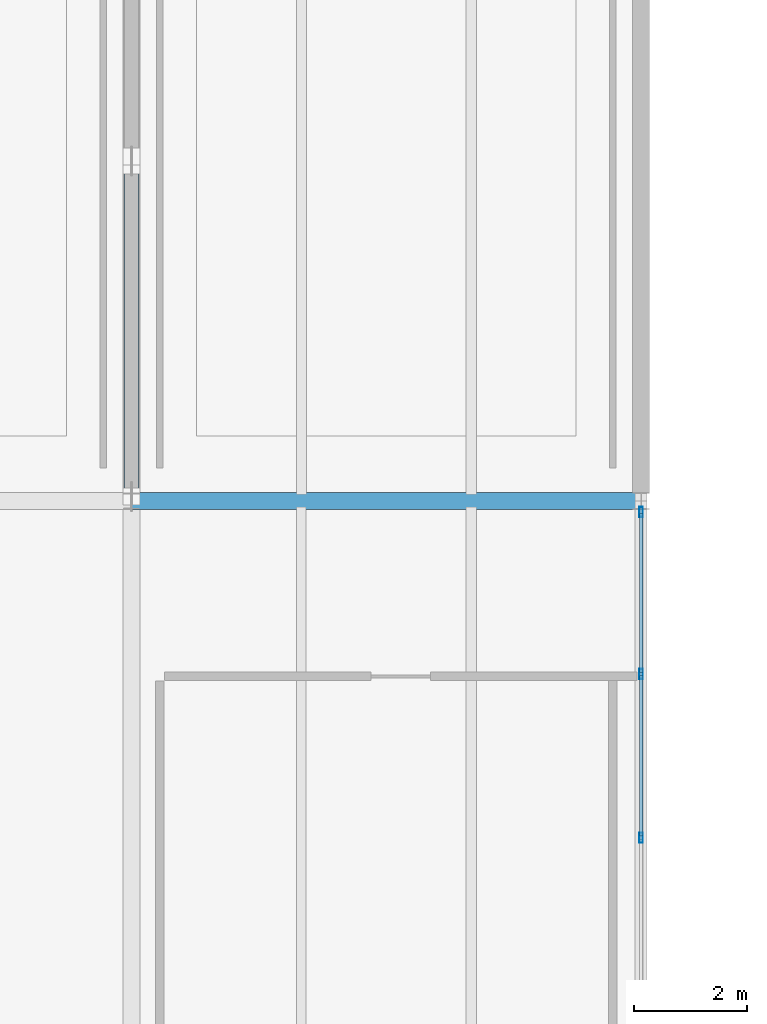
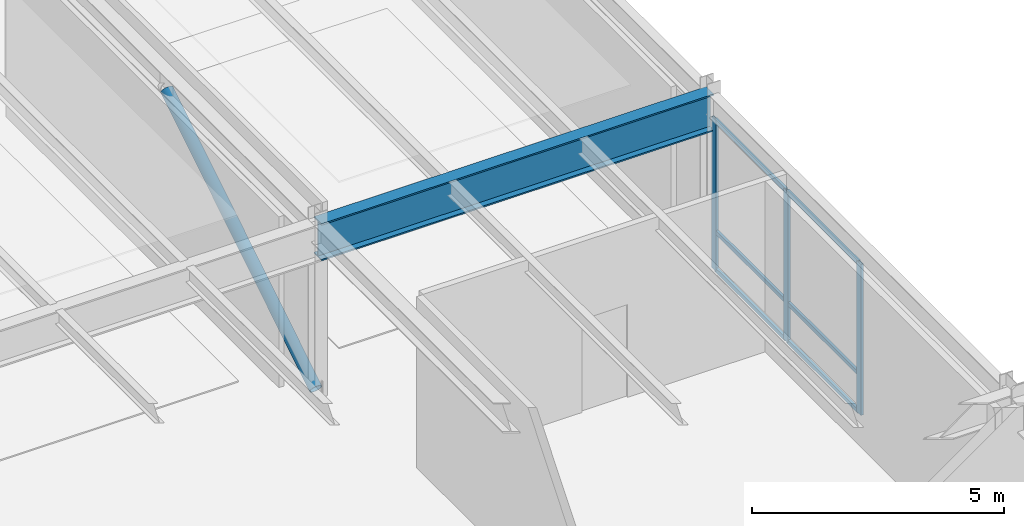
# One storey, part 46 of 127: 10 members, 1 beam, 1 element without a shape of its own.
"""IFC4 building model written with IfcOpenShell, lengths in metres."""

from ifc_helpers import new_model, si_unit, direction, frame, origin, origin_2d, place, context, subcontext, project, spatial, hollow_rectangle, hollow_circle, i_section, extrude, material, layer, layer_set, material_profile, profile_set, type_object, element, aggregate, save


model = new_model("IFC4")

# Units and contexts
model_context = context("Model", 3, precision=1e-05, world=origin(), true_north=direction((0.0, 1.0)))
body_context = subcontext(model_context, "Body", "Model", "MODEL_VIEW")
ifc_project = project(units=[si_unit("LENGTHUNIT", "METRE"), si_unit("AREAUNIT", "SQUARE_METRE"), si_unit("VOLUMEUNIT", "CUBIC_METRE"), si_unit("PLANEANGLEUNIT", "RADIAN"), si_unit("MASSUNIT", "GRAM", prefix="KILO")], contexts=[model_context])

# Site, building, storey
site_placement = place(None, origin())
site = spatial("IfcSite", under=ifc_project, at=site_placement, CompositionType="ELEMENT")
building_placement = place(site_placement, origin())
building = spatial("IfcBuilding", under=site, at=building_placement, Name="Montelvaro Courts of Justice", CompositionType="ELEMENT")
storey_placement = place(building_placement, frame((0.0, 0.0, 5.39990234375)))
storey = spatial("IfcBuildingStorey", under=building, at=storey_placement, Name="L01", CompositionType="ELEMENT", Elevation=5.39990234375)

# Beam
ifc_material_1 = material(Name="Steel S355", Category="steel")
ifc_material_profile_1 = material_profile(ifc_material_1, i_section(OverallWidth=0.300048828125, OverallDepth=0.89990234375, WebThickness=0.0185546875, FlangeThickness=0.034912109375, at=origin_2d()), Name="HEB 900")
ifc_profile_set_1 = profile_set([ifc_material_profile_1], Name="Steel S355")
beam_type = type_object("IfcBeamType", Name="Beam_HEB900", PredefinedType="USERDEFINED", material=ifc_profile_set_1)
beam_placement = place(storey_placement, frame((117.0, 54.0, 3.77001953125), z_axis=(1.0, 0.0, 0.0), x_axis=(0.0, 1.0, 0.0)))
element("IfcBeam", 1, at=beam_placement, inside=storey, type_object=beam_type, Name="Beam B-30 L01", ObjectType="GIRDER", PredefinedType="USERDEFINED", context=body_context, shape_type="SweptSolid", body=[
    extrude(i_section(OverallWidth=0.300048828125, OverallDepth=0.89990234375, WebThickness=0.0185546875, FlangeThickness=0.034912109375, at=origin_2d()), origin(), (0.0, 0.0, 1.0), 9.0),
])

# Curtain wall, members
ifc_material_2 = material(Name="Anodised aluminium EN AW-6063", Category="aluminium")
ifc_layer = layer(ifc_material_2, 0.159912109375)
ifc_layer_set = layer_set([ifc_layer], Name="Anodised aluminium EN AW-6063")
curtain_wall_type = type_object("IfcCurtainWallType", Name="CurtainWall_23_1154x418", PredefinedType="USERDEFINED", material=ifc_layer_set)
curtain_wall_placement = place(storey_placement, origin())
curtain_wall = element("IfcCurtainWall", 2, at=curtain_wall_placement, inside=storey, type_object=curtain_wall_type, Name="Curtain Wall CW-23 (L01)", ObjectType="CURTAIN WALL", PredefinedType="USERDEFINED")
ifc_material_profile_2 = material_profile(ifc_material_2, hollow_rectangle(XDim=0.06005859375, YDim=0.179931640625, WallThickness=0.00439453125, at=origin_2d()), Name="ALU-M 60x180")
ifc_profile_set_2 = profile_set([ifc_material_profile_2], Name="Anodised aluminium EN AW-6063")
member_type_1 = type_object("IfcMemberType", Name="CurtainWall_Mullion_60x180", PredefinedType="MULLION", material=ifc_profile_set_2)
member_1_placement = place(storey_placement, frame((126.0, 48.050048828125, 0.0), z_axis=(0.0, 0.0, 1.0), x_axis=(-1.0, 0.0, 0.0)))
member_1 = element("IfcMember", 3, at=member_1_placement, type_object=member_type_1, Name="CW-23 mullion 3", PredefinedType="MULLION", context=body_context, shape_type="SweptSolid", body=[
    extrude(hollow_rectangle(XDim=0.06005859375, YDim=0.179931640625, WallThickness=0.00439453125, at=origin_2d()), origin(), (0.0, 0.0, 1.0), 3.6650390625),
])
member_2_placement = place(storey_placement, frame((126.0, 50.9423828125, 0.0), z_axis=(0.0, 0.0, 1.0), x_axis=(-1.0, 0.0, 0.0)))
member_2 = element("IfcMember", 4, at=member_2_placement, type_object=member_type_1, Name="CW-23 mullion 4", PredefinedType="MULLION", context=body_context, shape_type="SweptSolid", body=[
    extrude(hollow_rectangle(XDim=0.06005859375, YDim=0.179931640625, WallThickness=0.00439453125, at=origin_2d()), origin(), (0.0, 0.0, 1.0), 3.6650390625),
])
member_3_placement = place(storey_placement, frame((126.0, 53.804931640625, 0.0), z_axis=(0.0, 0.0, 1.0), x_axis=(-1.0, 0.0, 0.0)))
member_3 = element("IfcMember", 5, at=member_3_placement, type_object=member_type_1, Name="CW-23 mullion 5", PredefinedType="MULLION", context=body_context, shape_type="SweptSolid", body=[
    extrude(hollow_rectangle(XDim=0.06005859375, YDim=0.179931640625, WallThickness=0.00439453125, at=origin_2d()), origin(), (0.0, 0.0, 1.0), 3.6650390625),
])
ifc_material_profile_3 = material_profile(ifc_material_2, hollow_rectangle(XDim=0.06005859375, YDim=0.10009765625, WallThickness=0.00341796875, at=origin_2d()), Name="ALU-T 60x100")
ifc_profile_set_3 = profile_set([ifc_material_profile_3], Name="Anodised aluminium EN AW-6063")
member_type_2 = type_object("IfcMemberType", Name="CurtainWall_Transom_60x100", PredefinedType="USERDEFINED", material=ifc_profile_set_3)
member_4_placement = place(storey_placement, frame((126.0, 48.080078125, 0.030029296875), z_axis=(0.0, 1.0, 0.0), x_axis=(-1.0, 0.0, 0.0)))
member_4 = element("IfcMember", 6, at=member_4_placement, type_object=member_type_2, Name="CW-23 transom 3.1", ObjectType="TRANSOM", PredefinedType="USERDEFINED", context=body_context, shape_type="SweptSolid", body=[
    extrude(hollow_rectangle(XDim=0.06005859375, YDim=0.10009765625, WallThickness=0.00341796875, at=origin_2d()), origin(), (0.0, 0.0, 1.0), 2.83251953125),
])
member_5_placement = place(storey_placement, frame((126.0, 48.080078125, 0.9501953125), z_axis=(0.0, 1.0, 0.0), x_axis=(-1.0, 0.0, 0.0)))
member_5 = element("IfcMember", 7, at=member_5_placement, type_object=member_type_2, Name="CW-23 transom 3.2", ObjectType="TRANSOM", PredefinedType="USERDEFINED", context=body_context, shape_type="SweptSolid", body=[
    extrude(hollow_rectangle(XDim=0.06005859375, YDim=0.10009765625, WallThickness=0.00341796875, at=origin_2d()), origin(), (0.0, 0.0, 1.0), 2.83251953125),
])
member_6_placement = place(storey_placement, frame((126.0, 48.080078125, 3.635009765625), z_axis=(0.0, 1.0, 0.0), x_axis=(-1.0, 0.0, 0.0)))
member_6 = element("IfcMember", 8, at=member_6_placement, type_object=member_type_2, Name="CW-23 transom 3.3", ObjectType="TRANSOM", PredefinedType="USERDEFINED", context=body_context, shape_type="SweptSolid", body=[
    extrude(hollow_rectangle(XDim=0.06005859375, YDim=0.10009765625, WallThickness=0.00341796875, at=origin_2d()), origin(), (0.0, 0.0, 1.0), 2.83251953125),
])
member_7_placement = place(storey_placement, frame((126.0, 50.972412109375, 0.030029296875), z_axis=(0.0, 1.0, 0.0), x_axis=(-1.0, 0.0, 0.0)))
member_7 = element("IfcMember", 9, at=member_7_placement, type_object=member_type_2, Name="CW-23 transom 4.1", ObjectType="TRANSOM", PredefinedType="USERDEFINED", context=body_context, shape_type="SweptSolid", body=[
    extrude(hollow_rectangle(XDim=0.06005859375, YDim=0.10009765625, WallThickness=0.00341796875, at=origin_2d()), origin(), (0.0, 0.0, 1.0), 2.802490234375),
])
member_8_placement = place(storey_placement, frame((126.0, 50.972412109375, 0.9501953125), z_axis=(0.0, 1.0, 0.0), x_axis=(-1.0, 0.0, 0.0)))
member_8 = element("IfcMember", 10, at=member_8_placement, type_object=member_type_2, Name="CW-23 transom 4.2", ObjectType="TRANSOM", PredefinedType="USERDEFINED", context=body_context, shape_type="SweptSolid", body=[
    extrude(hollow_rectangle(XDim=0.06005859375, YDim=0.10009765625, WallThickness=0.00341796875, at=origin_2d()), origin(), (0.0, 0.0, 1.0), 2.802490234375),
])
member_9_placement = place(storey_placement, frame((126.0, 50.972412109375, 3.635009765625), z_axis=(0.0, 1.0, 0.0), x_axis=(-1.0, 0.0, 0.0)))
member_9 = element("IfcMember", 11, at=member_9_placement, type_object=member_type_2, Name="CW-23 transom 4.3", ObjectType="TRANSOM", PredefinedType="USERDEFINED", context=body_context, shape_type="SweptSolid", body=[
    extrude(hollow_rectangle(XDim=0.06005859375, YDim=0.10009765625, WallThickness=0.00341796875, at=origin_2d()), origin(), (0.0, 0.0, 1.0), 2.802490234375),
])
aggregate(curtain_wall, [member_1, member_2, member_3, member_4, member_5, member_6, member_7, member_8, member_9])

# Member
ifc_material_profile_4 = material_profile(ifc_material_1, hollow_circle(Radius=0.136474609375, WallThickness=0.012451171875, at=origin_2d()), Name="CHS 273x12.5")
ifc_profile_set_4 = profile_set([ifc_material_profile_4], Name="Steel S355")
member_type_3 = type_object("IfcMemberType", Name="Mem_CHS273_Brace", PredefinedType="BRACE", material=ifc_profile_set_4)
member_10_placement = place(storey_placement, frame((117.0, 54.080078125, 0.080078125), z_axis=(0.0, 0.84993031859, 0.526895106773), x_axis=(-1.0, 0.0, 0.0)))
element("IfcMember", 12, at=member_10_placement, inside=storey, type_object=member_type_3, Name="Lateral Braced Frame CBF4 Diagonal 1 (L01)", PredefinedType="BRACE", context=body_context, shape_type="SweptSolid", body=[
    extrude(hollow_circle(Radius=0.136474609375, WallThickness=0.012451171875, at=origin_2d()), origin(), (0.0, 0.0, 1.0), 6.965087890625),
])

save(model, "model.ifc")
